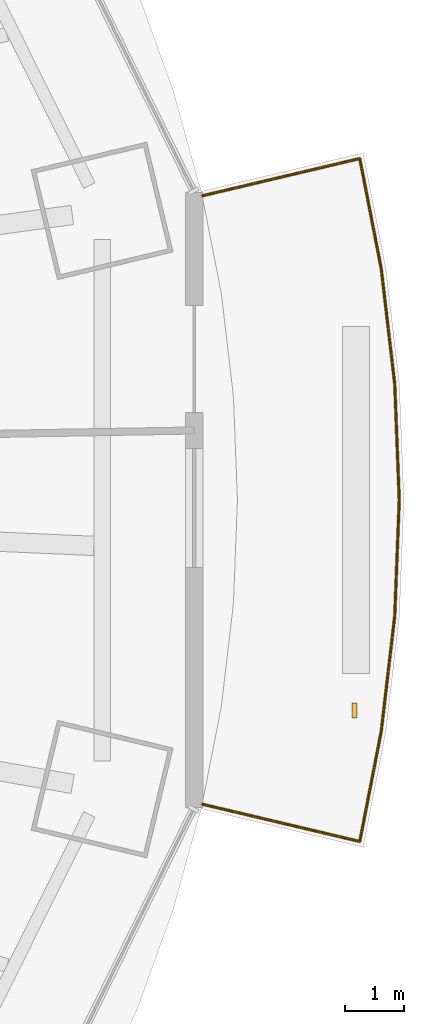
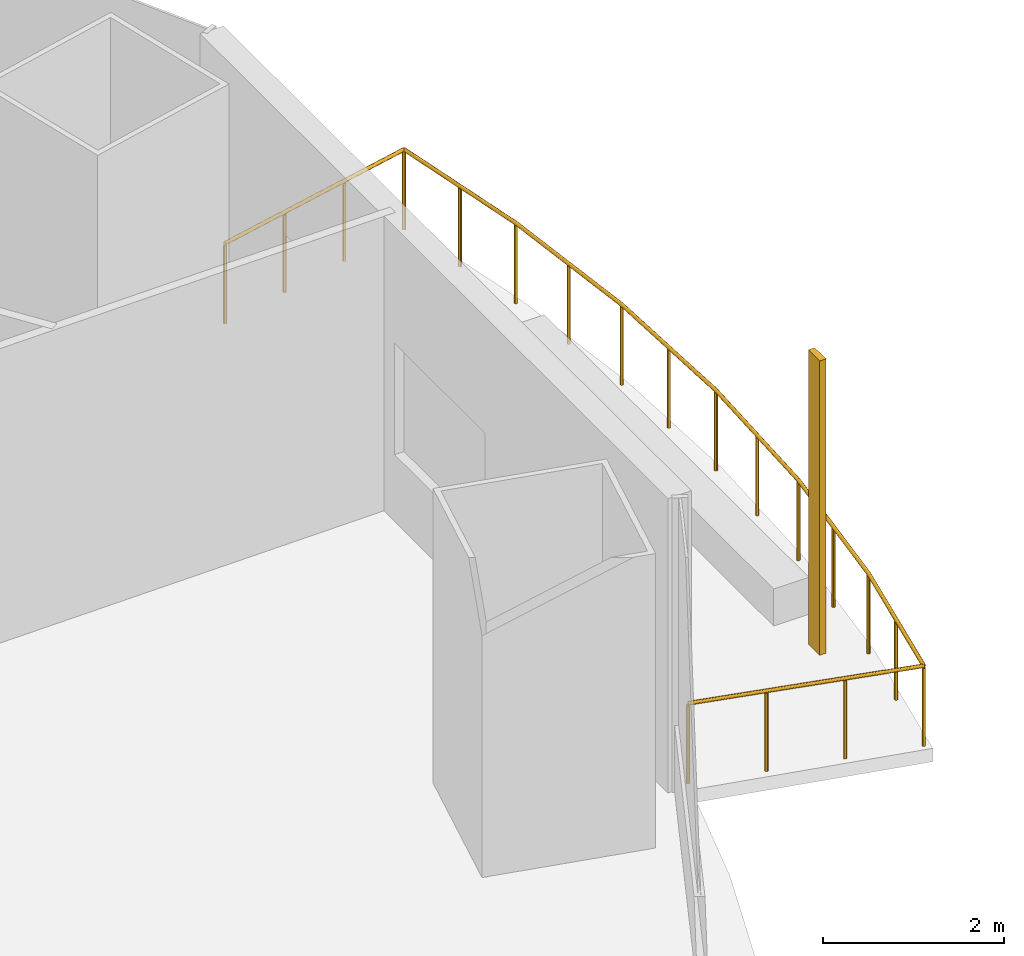
# One storey, part 20 of 21: 1 railing, 1 shading device.
"""IFC4 building model written with IfcOpenShell, lengths in metres."""

from ifc_helpers import new_model, si_unit, direction, frame, origin, origin_2d, place, context, subcontext, project, spatial, rectangle, circle, extrude, material, material_profile, profile_set, type_object, element, save


model = new_model("IFC4")

# Units and contexts
model_context = context("Model", 3, precision=1e-05, world=origin(), true_north=direction((0.0, 1.0)))
body_context = subcontext(model_context, "Body", "Model", "MODEL_VIEW")
ifc_project = project(units=[si_unit("LENGTHUNIT", "METRE"), si_unit("AREAUNIT", "SQUARE_METRE"), si_unit("VOLUMEUNIT", "CUBIC_METRE"), si_unit("PLANEANGLEUNIT", "RADIAN"), si_unit("MASSUNIT", "GRAM", prefix="KILO")], contexts=[model_context])

# Site, building, storey
site_placement = place(None, origin())
site = spatial("IfcSite", under=ifc_project, at=site_placement, CompositionType="ELEMENT")
building_placement = place(site_placement, origin())
building = spatial("IfcBuilding", under=site, at=building_placement, Name="Marenthal Gate Tower", CompositionType="ELEMENT")
storey_placement = place(building_placement, frame((0.0, 0.0, 198.39990234375)))
storey = spatial("IfcBuildingStorey", under=building, at=storey_placement, Name="L43", CompositionType="ELEMENT", Elevation=198.39990234375)

# Railing
ifc_material_1 = material(Name="Stainless steel", Category="steel")
railing_type = type_object("IfcRailingType", Name="Balcony guard 1100", PredefinedType="GUARDRAIL", material=ifc_material_1)
railing_placement = place(storey_placement, frame((32.9013671875, 4.514404296875, 0.0)))
element("IfcRailing", 1, at=railing_placement, inside=storey, type_object=railing_type, Name="Balcony guard L43 bay 16", PredefinedType="GUARDRAIL", context=body_context, shape_type="SweptSolid", body=[
    extrude(circle(Radius=0.02392578125, at=origin_2d()), frame((0.0, 0.0, 1.076171875), z_axis=(0.973013229407, 0.230285182315, -0.014628404021), x_axis=(-0.230309825657, 0.973117353769, 0.0)), (0.0, 0.0, 1.0), 2.720458984375),
    extrude(circle(Radius=0.02392578125, at=origin_2d()), frame((2.64697265625, 0.62646484375, 1.0361328125), z_axis=(0.191345653043, -0.98152271551, 0.0), x_axis=(0.98152271551, 0.191345653043, 0.0)), (0.0, 0.0, 1.0), 1.880615234375),
    extrude(circle(Radius=0.02392578125, at=origin_2d()), frame((3.0068359375, -1.219482421875, 1.0361328125), z_axis=(0.116442969982, -0.993197379548, 0.0), x_axis=(0.993197379548, 0.116442969982, 0.0)), (0.0, 0.0, 1.0), 1.956298828125),
    extrude(circle(Radius=0.02392578125, at=origin_2d()), frame((3.234619140625, -3.162353515625, 1.0361328125), z_axis=(0.038865061228, -0.999244468094, 0.0), x_axis=(0.999244468094, 0.038865061228, 0.0)), (0.0, 0.0, 1.0), 1.95361328125),
    extrude(circle(Radius=0.02392578125, at=origin_2d()), frame((3.310546875, -5.114501953125, 1.0361328125), z_axis=(-0.038865061228, -0.999244468094, 0.0), x_axis=(0.999244468094, -0.038865061228, 0.0)), (0.0, 0.0, 1.0), 1.95361328125),
    extrude(circle(Radius=0.02392578125, at=origin_2d()), frame((3.234619140625, -7.066650390625, 1.0361328125), z_axis=(-0.116457405552, -0.993195687008, 0.0), x_axis=(0.993195687008, -0.116457405552, 0.0)), (0.0, 0.0, 1.0), 1.9560546875),
    extrude(circle(Radius=0.02392578125, at=origin_2d()), frame((3.0068359375, -9.00927734375, 1.0361328125), z_axis=(-0.191345653043, -0.98152271551, 0.0), x_axis=(0.98152271551, -0.191345653043, 0.0)), (0.0, 0.0, 1.0), 1.880615234375),
    extrude(circle(Radius=0.02392578125, at=origin_2d()), frame((2.64697265625, -10.855224609375, 1.0361328125), z_axis=(-0.973013229407, 0.230285182315, 0.014628404021), x_axis=(-0.230309825657, -0.973117353769, 0.0)), (0.0, 0.0, 1.0), 2.720458984375),
    extrude(circle(Radius=0.02099609375, at=origin_2d()), origin(), (0.0, 0.0, 1.0), 1.052001953125),
    extrude(circle(Radius=0.02099609375, at=origin_2d()), frame((0.88232421875, 0.208740234375, -0.01318359375)), (0.0, 0.0, 1.0), 1.052001953125),
    extrude(circle(Radius=0.02099609375, at=origin_2d()), frame((1.7646484375, 0.417724609375, -0.026611328125)), (0.0, 0.0, 1.0), 1.052001953125),
    extrude(circle(Radius=0.02099609375, at=origin_2d()), frame((2.64697265625, 0.62646484375, -0.039794921875)), (0.0, 0.0, 1.0), 1.052001953125),
    extrude(circle(Radius=0.02099609375, at=origin_2d()), frame((2.826904296875, -0.29638671875, -0.039794921875)), (0.0, 0.0, 1.0), 1.052001953125),
    extrude(circle(Radius=0.02099609375, at=origin_2d()), frame((3.0068359375, -1.219482421875, -0.039794921875)), (0.0, 0.0, 1.0), 1.052001953125),
    extrude(circle(Radius=0.02099609375, at=origin_2d()), frame((3.12060546875, -2.19091796875, -0.039794921875)), (0.0, 0.0, 1.0), 1.052001953125),
    extrude(circle(Radius=0.02099609375, at=origin_2d()), frame((3.234619140625, -3.162353515625, -0.039794921875)), (0.0, 0.0, 1.0), 1.052001953125),
    extrude(circle(Radius=0.02099609375, at=origin_2d()), frame((3.2724609375, -4.138427734375, -0.039794921875)), (0.0, 0.0, 1.0), 1.052001953125),
    extrude(circle(Radius=0.02099609375, at=origin_2d()), frame((3.310546875, -5.114501953125, -0.039794921875)), (0.0, 0.0, 1.0), 1.052001953125),
    extrude(circle(Radius=0.02099609375, at=origin_2d()), frame((3.2724609375, -6.090576171875, -0.039794921875)), (0.0, 0.0, 1.0), 1.052001953125),
    extrude(circle(Radius=0.02099609375, at=origin_2d()), frame((3.234619140625, -7.066650390625, -0.039794921875)), (0.0, 0.0, 1.0), 1.052001953125),
    extrude(circle(Radius=0.02099609375, at=origin_2d()), frame((3.12060546875, -8.0380859375, -0.039794921875)), (0.0, 0.0, 1.0), 1.052001953125),
    extrude(circle(Radius=0.02099609375, at=origin_2d()), frame((3.0068359375, -9.00927734375, -0.039794921875)), (0.0, 0.0, 1.0), 1.052001953125),
    extrude(circle(Radius=0.02099609375, at=origin_2d()), frame((2.826904296875, -9.93212890625, -0.039794921875)), (0.0, 0.0, 1.0), 1.052001953125),
    extrude(circle(Radius=0.02099609375, at=origin_2d()), frame((2.64697265625, -10.855224609375, -0.039794921875)), (0.0, 0.0, 1.0), 1.052001953125),
    extrude(circle(Radius=0.02099609375, at=origin_2d()), frame((1.7646484375, -10.646484375, -0.026611328125)), (0.0, 0.0, 1.0), 1.052001953125),
    extrude(circle(Radius=0.02099609375, at=origin_2d()), frame((0.88232421875, -10.4375, -0.01318359375)), (0.0, 0.0, 1.0), 1.052001953125),
    extrude(circle(Radius=0.02099609375, at=origin_2d()), frame((0.0, -10.228759765625, 0.0)), (0.0, 0.0, 1.0), 1.052001953125),
])

# Shading device
ifc_material_2 = material(Name="Terracotta", Category="masonry")
ifc_material_profile = material_profile(ifc_material_2, rectangle(XDim=0.25, YDim=0.080078125, at=origin_2d()), Name="Terracotta baguette 250x80")
ifc_profile_set = profile_set([ifc_material_profile], Name="Terracotta")
shading_device_type = type_object("IfcShadingDeviceType", Name="Terracotta BAGUETTE SCREEN 250x80", PredefinedType="USERDEFINED", material=ifc_profile_set)
shading_device_placement = place(storey_placement, frame((35.4599609375, -4.1376953125, -0.039794921875), z_axis=(0.0, 0.0, 1.0), x_axis=(0.0, 1.0, 0.0)))
element("IfcShadingDevice", 2, at=shading_device_placement, inside=storey, type_object=shading_device_type, Name="Terracotta BAGUETTE L43 bay 16L", ObjectType="BAGUETTE SCREEN", PredefinedType="USERDEFINED", context=body_context, shape_type="SweptSolid", body=[
    extrude(rectangle(XDim=0.25, YDim=0.080078125, at=origin_2d()), origin(), (0.0, 0.0, 1.0), 3.969970703125),
])

save(model, "model.ifc")
